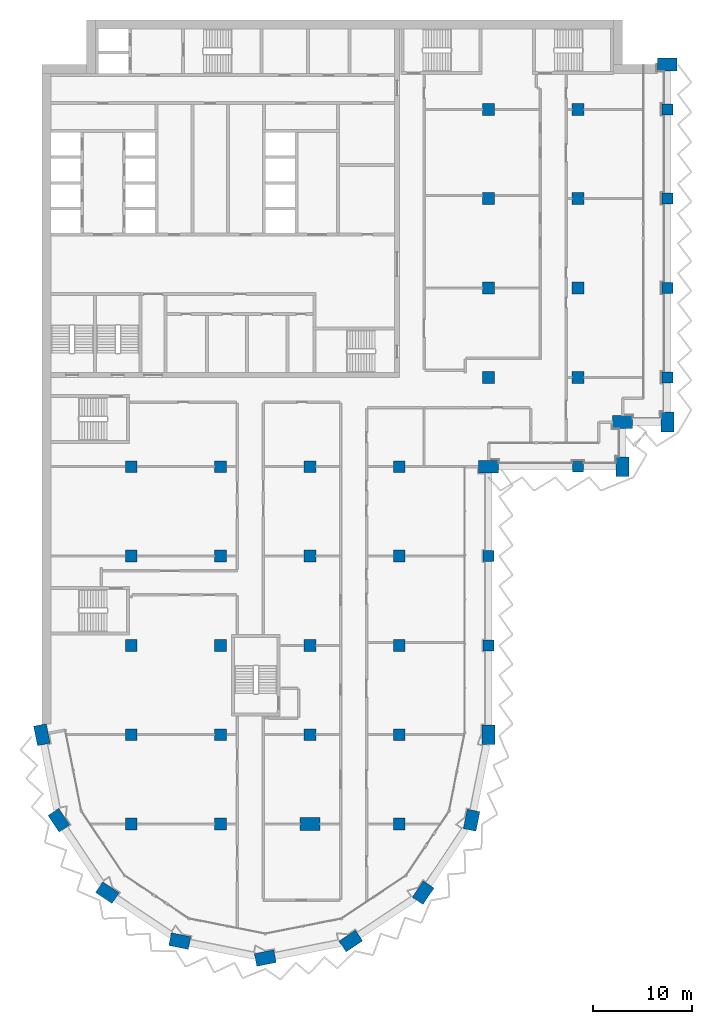
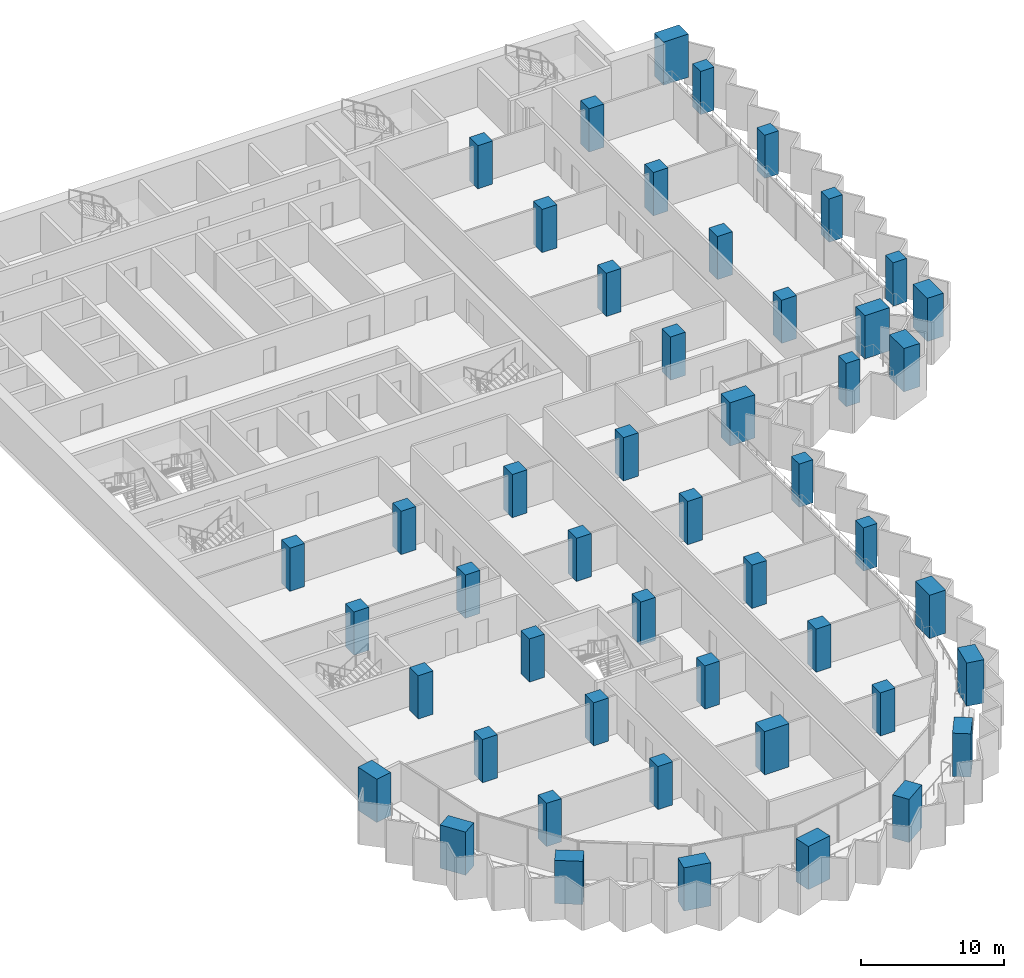
# One storey, part 1 of 23: 49 columns.
"""IFC4 building model written with IfcOpenShell, lengths in metres."""

import ifcopenshell
import ifcopenshell.guid

model = None  # the IFC model being written
_history = None  # IfcOwnerHistory: only IFC2X3 demands one
_inside = {}  # id of a spatial element -> (the spatial element, [elements in it])
_under = {}  # id of a project, library or spatial element -> (it, [spatial elements below it])
_declared = {}  # id of a project -> (the project, [libraries it declares])
_typed = {}  # id of a type object -> (the type object, [elements of that type])
_made_of = {}  # id of a material, layer set ... -> (it, [elements and type objects made of it])


def new_model(schema):
    """Start an empty IFC model of exactly this schema.

    Asked for "IFC4X3", IfcOpenShell would pick the latest addendum, in which some entities
    have other attributes; the version numbers below select the first issue.
    IFC2X3 requires an IfcOwnerHistory on every rooted entity: one is made here for all.
    """
    global model, _history
    if schema == "IFC4X3":
        model = ifcopenshell.file(schema_version=(4, 3, 0, 0))
    else:
        model = ifcopenshell.file(schema=schema)
    _inside.clear()
    _under.clear()
    _declared.clear()
    _typed.clear()
    _made_of.clear()
    _history = None
    if model.schema == "IFC2X3":
        org = make("IfcOrganization", Name="unknown")
        user = make(
            "IfcPersonAndOrganization",
            ThePerson=make("IfcPerson", FamilyName="unknown"),
            TheOrganization=org,
        )
        app = make(
            "IfcApplication",
            ApplicationDeveloper=org,
            Version="unknown",
            ApplicationFullName="unknown",
            ApplicationIdentifier="unknown",
        )
        _history = make(
            "IfcOwnerHistory",
            OwningUser=user,
            OwningApplication=app,
            ChangeAction="ADDED",
            CreationDate=0,
        )
    return model


def make(cls, **values):
    """One entity of the class cls with the attributes given. An attribute that is None is left unset."""
    return model.create_entity(
        cls, **{name: value for name, value in values.items() if value is not None}
    )


def rooted(cls, **values):
    """An entity with a GlobalId (a new one), such as an element, a storey or a relation."""
    return make(cls, GlobalId=ifcopenshell.guid.new(), OwnerHistory=_history, **values)


def si_unit(unit_type, name, prefix=None):
    """IfcSIUnit, for example si_unit("LENGTHUNIT", "METRE", prefix="MILLI")."""
    return make("IfcSIUnit", UnitType=unit_type, Prefix=prefix, Name=name)


def assignment(units):
    """IfcUnitAssignment: the units of a project."""
    return None if units is None else make("IfcUnitAssignment", Units=units)


def point(xyz):
    """IfcCartesianPoint."""
    return None if xyz is None else make("IfcCartesianPoint", Coordinates=xyz)


def direction(xyz):
    """IfcDirection."""
    return None if xyz is None else make("IfcDirection", DirectionRatios=xyz)


def frame(location, z_axis=None, x_axis=None):
    """IfcAxis2Placement3D, a coordinate frame: its origin and axes. An axis left out is left unset."""
    return make(
        "IfcAxis2Placement3D",
        Location=point(location),
        Axis=direction(z_axis),
        RefDirection=direction(x_axis),
    )


def frame_2d(location, x_axis=None):
    """IfcAxis2Placement2D, a coordinate frame in the plane: its origin and x axis."""
    return make(
        "IfcAxis2Placement2D", Location=point(location), RefDirection=direction(x_axis)
    )


def origin():
    """The frame at (0, 0, 0) with its axes left unset."""
    return frame((0.0, 0.0, 0.0))


def origin_2d():
    """The frame at (0, 0) in the plane with its x axis left unset."""
    return frame_2d((0.0, 0.0))


def place(relative_to, where):
    """IfcLocalPlacement: puts the frame where relative to a parent placement (None: the world)."""
    return make(
        "IfcLocalPlacement", PlacementRelTo=relative_to, RelativePlacement=where
    )


def context(
    kind, dimensions, precision=None, world=None, true_north=None, identifier=None
):
    """IfcGeometricRepresentationContext, for example the 3D "Model" context."""
    return make(
        "IfcGeometricRepresentationContext",
        ContextIdentifier=identifier,
        ContextType=kind,
        CoordinateSpaceDimension=dimensions,
        Precision=precision,
        WorldCoordinateSystem=world,
        TrueNorth=true_north,
    )


def subcontext(parent, identifier, kind, view, scale=None):
    """IfcGeometricRepresentationSubContext, for example "Body" below "Model"."""
    return make(
        "IfcGeometricRepresentationSubContext",
        ContextIdentifier=identifier,
        ContextType=kind,
        ParentContext=parent,
        TargetScale=scale,
        TargetView=view,
    )


def project(units=None, contexts=None):
    """IfcProject with its units and contexts."""
    return rooted(
        "IfcProject",
        Name="project",
        RepresentationContexts=contexts,
        UnitsInContext=assignment(units),
    )


def spatial(cls, under=None, at=None, **own):
    """A site, building, storey or space (cls), placed at a placement, below another one or the project."""
    s = rooted(cls, ObjectPlacement=at, **own)
    if under is not None:
        _under.setdefault(under.id(), (under, []))[1].append(s)
    return s


def profile(cls, at=None, kind="AREA", **sizes):
    """A parametric profile (cls). Its sizes go by their IFC names, for example OverallWidth=200.0."""
    return make(cls, ProfileType=kind, Position=at, **sizes)


def rectangle(**sizes):
    """IfcRectangleProfileDef."""
    return profile("IfcRectangleProfileDef", **sizes)


def extrude(swept, where, along, depth):
    """IfcExtrudedAreaSolid: the profile swept, set in the frame where, extruded along a direction by depth."""
    return make(
        "IfcExtrudedAreaSolid",
        SweptArea=swept,
        Position=where,
        ExtrudedDirection=direction(along),
        Depth=depth,
    )


def shape(context_of_items, identifier, shape_type, items):
    """IfcShapeRepresentation: the items that make up one representation, for example the "Body"."""
    return make(
        "IfcShapeRepresentation",
        ContextOfItems=context_of_items,
        RepresentationIdentifier=identifier,
        RepresentationType=shape_type,
        Items=items,
    )


def material(Name=None, Category=None):
    """IfcMaterial."""
    return make("IfcMaterial", Name=Name, Category=Category)


def material_profile(
    of_material, cross_section, Name=None, Category=None, Priority=None
):
    """IfcMaterialProfile: a cross section and its material."""
    return make(
        "IfcMaterialProfile",
        Name=Name,
        Material=of_material,
        Profile=cross_section,
        Priority=Priority,
        Category=Category,
    )


def profile_set(profiles, Name=None, composite=None):
    """IfcMaterialProfileSet."""
    return make(
        "IfcMaterialProfileSet",
        Name=Name,
        MaterialProfiles=profiles,
        CompositeProfile=composite,
    )


def made_of(thing, what):
    """Note that an element or type object is made of a material, layer set ...; save() writes the relation."""
    if what is not None:
        _made_of.setdefault(what.id(), (what, []))[1].append(thing)
    return thing


def type_object(cls, material=None, **own):
    """A type object (cls), such as IfcWallType, which elements share."""
    return made_of(rooted(cls, **own), material)


def element(
    cls,
    number,
    at=None,
    inside=None,
    cuts=None,
    type_object=None,
    material=None,
    context=None,
    identifier="Body",
    shape_type=None,
    held_by="IfcProductDefinitionShape",
    body=None,
    shapes=None,
    **own,
):
    """One element of the class cls, such as IfcWall. Its Tag is "e" and its number.

    at: its placement. inside: the storey or other place that contains it. cuts: it is an
    opening in that element (IfcRelVoidsElement). A single representation is given by context,
    identifier, shape_type and body (its items); several are given by shapes. held_by: the class
    of the entity that holds the representations. save() writes the other relations.
    """
    e = rooted(cls, Tag="e%d" % number, ObjectPlacement=at, **own)
    if body is not None:
        shapes = [shape(context, identifier, shape_type, body)]
    if shapes is not None:
        e.Representation = make(held_by, Representations=shapes)
    if inside is not None:
        _inside.setdefault(inside.id(), (inside, []))[1].append(e)
    if cuts is not None:
        rooted(
            "IfcRelVoidsElement", RelatingBuildingElement=cuts, RelatedOpeningElement=e
        )
    if type_object is not None:
        _typed.setdefault(type_object.id(), (type_object, []))[1].append(e)
    return made_of(e, material)


def aggregate(whole, parts):
    """IfcRelAggregates: a whole, such as a stair, and the parts it consists of."""
    return rooted("IfcRelAggregates", RelatingObject=whole, RelatedObjects=parts)


def save(model, path):
    """Write the relations noted so far, then the file.

    IfcRelAggregates (storeys below a building ...), IfcRelContainedInSpatialStructure (elements
    in a storey), IfcRelDefinesByType, IfcRelAssociatesMaterial and IfcRelDeclares: one each for
    every whole, place, type object, material and project.
    """
    for whole, parts in _under.values():
        aggregate(whole, parts)
    for where, things in _inside.values():
        rooted(
            "IfcRelContainedInSpatialStructure",
            RelatedElements=things,
            RelatingStructure=where,
        )
    for kind, things in _typed.values():
        rooted("IfcRelDefinesByType", RelatedObjects=things, RelatingType=kind)
    for what, things in _made_of.values():
        rooted("IfcRelAssociatesMaterial", RelatedObjects=things, RelatingMaterial=what)
    for by, libraries in _declared.values():
        rooted("IfcRelDeclares", RelatingContext=by, RelatedDefinitions=libraries)
    model.write(path)


model = new_model("IFC4")

# Units and contexts
model_context = context("Model", 3, precision=1e-05, world=origin(), true_north=direction((0.0, 1.0)))
body_context = subcontext(model_context, "Body", "Model", "MODEL_VIEW")
ifc_project = project(units=[si_unit("LENGTHUNIT", "METRE"), si_unit("AREAUNIT", "SQUARE_METRE"), si_unit("VOLUMEUNIT", "CUBIC_METRE"), si_unit("PLANEANGLEUNIT", "RADIAN"), si_unit("MASSUNIT", "GRAM", prefix="KILO")], contexts=[model_context])

# Site, building, storey
site_placement = place(None, origin())
site = spatial("IfcSite", under=ifc_project, at=site_placement, CompositionType="ELEMENT")
building_placement = place(site_placement, origin())
building = spatial("IfcBuilding", under=site, at=building_placement, Name="Hunhe Ridgeline Campus", CompositionType="ELEMENT")
storey_placement = place(building_placement, frame((0.0, 0.0, 148.60009765625)))
storey = spatial("IfcBuildingStorey", under=building, at=storey_placement, Name="L37", CompositionType="ELEMENT", Elevation=148.60009765625)

# Columns
ifc_material = material(Name="Concrete C70", Category="concrete")
ifc_material_profile_1 = material_profile(ifc_material, rectangle(XDim=2.0, YDim=1.300048828125, at=origin_2d()))
ifc_profile_set_1 = profile_set([ifc_material_profile_1], Name="Concrete C70")
column_type_1 = type_object("IfcColumnType", Name="Megacolumn 2000x1300 Concrete C70", PredefinedType="COLUMN", material=ifc_profile_set_1)
for number, where, z_axis, x_axis, name in (
    (1, (22.5, 4.5, 0.0), (0.0, 0.0, 1.0), (0.980785280403, 0.195090322016, 0.0), "Column C9 R1 L37"),
    (2, (13.8896484375, 6.212646484375, 0.0), (0.0, 0.0, 1.0), (-0.980785280403, 0.195090322016, 0.0), "Column C9 R2 L37"),
    (3, (31.1103515625, 6.212646484375, 0.0), (0.0, 0.0, 1.0), (0.831469612303, 0.55557023302, 0.0), "Column C9 R3 L37"),
    (4, (6.590087890625, 11.090087890625, 0.0), (0.0, 0.0, 1.0), (-0.831469612303, 0.55557023302, 0.0), "Column C9 R4 L37"),
    (5, (38.409912109375, 11.090087890625, 0.0), (0.0, 0.0, 1.0), (0.55557023302, 0.831469612303, 0.0), "Column C9 R5 L37"),
    (6, (1.712646484375, 18.3896484375, 0.0), (0.0, 0.0, 1.0), (-0.55557023302, 0.831469612303, 0.0), "Column C9 R9 L37"),
    (7, (43.287353515625, 18.3896484375, 0.0), (0.0, 0.0, 1.0), (0.195090322016, 0.980785280403, 0.0), "Column C9 R10 L37"),
    (8, (0.0, 27.0, 0.0), (0.0, 0.0, 1.0), (-0.195090322016, 0.980785280403, 0.0), "Column C9 D1 L37"),
    (9, (45.0, 27.0, 0.0), (0.0, 0.0, 1.0), (0.0, 1.0, 0.0), "Column C9 D6 L37"),
    (10, (45.0, 54.0, 0.0), (0.0, 0.0, 1.0), (1.0, 0.0, 0.0), "Column C9 G6 L37"),
    (11, (58.5, 54.0, 0.0), (0.0, 0.0, 1.0), (0.0, 1.0, 0.0), "Column C9 R30 L37"),
    (12, (58.5, 58.5, 0.0), (0.0, 0.0, 1.0), (1.0, 0.0, 0.0), "Column C9 R35 L37"),
    (13, (63.0, 58.5, 0.0), (0.0, 0.0, 1.0), (0.0, 1.0, 0.0), "Column C9 R36 L37"),
    (14, (63.0, 94.5, 0.0), (0.0, 0.0, 1.0), (1.0, 0.0, 0.0), "Column C9 R42 L37"),
    (15, (27.0, 18.0, 0.0), (0.0, 0.0, 1.0), (1.0, 0.0, 0.0), "Column C9 C4 L37"),
):
    element("IfcColumn", number, at=place(storey_placement, frame(where, z_axis=z_axis, x_axis=x_axis)), inside=storey, type_object=column_type_1, Name=name, PredefinedType="COLUMN", context=body_context, shape_type="SweptSolid", body=[
        extrude(rectangle(XDim=2.0, YDim=1.300048828125, at=origin_2d()), origin(), (0.0, 0.0, 1.0), 3.699951171875),
    ])
ifc_material_profile_2 = material_profile(ifc_material, rectangle(XDim=1.10009765625, YDim=1.10009765625, at=origin_2d()))
ifc_profile_set_2 = profile_set([ifc_material_profile_2], Name="Concrete C70")
column_type_2 = type_object("IfcColumnType", Name="RC column 1100x1100 Concrete C70", PredefinedType="COLUMN", material=ifc_profile_set_2)
for number, where, z_axis, x_axis, name in (
    (16, (45.0, 36.0, 0.0), (0.0, 0.0, 1.0), (1.0, 0.0, 0.0), "Column C10 E6 L37"),
    (17, (45.0, 45.0, 0.0), (0.0, 0.0, 1.0), (1.0, 0.0, 0.0), "Column C10 F6 L37"),
    (18, (54.0, 54.0, 0.0), (0.0, 0.0, 1.0), (1.0, 0.0, 0.0), "Column C10 G7 L37"),
    (19, (63.0, 63.0, 0.0), (0.0, 0.0, 1.0), (1.0, 0.0, 0.0), "Column C10 H8 L37"),
    (20, (63.0, 72.0, 0.0), (0.0, 0.0, 1.0), (1.0, 0.0, 0.0), "Column C10 I8 L37"),
    (21, (63.0, 81.0, 0.0), (0.0, 0.0, 1.0), (1.0, 0.0, 0.0), "Column C10 J8 L37"),
    (22, (63.0, 90.0, 0.0), (0.0, 0.0, 1.0), (1.0, 0.0, 0.0), "Column C10 K8 L37"),
):
    element("IfcColumn", number, at=place(storey_placement, frame(where, z_axis=z_axis, x_axis=x_axis)), inside=storey, type_object=column_type_2, Name=name, PredefinedType="COLUMN", context=body_context, shape_type="SweptSolid", body=[
        extrude(rectangle(XDim=1.10009765625, YDim=1.10009765625, at=origin_2d()), origin(), (0.0, 0.0, 1.0), 3.699951171875),
    ])
ifc_material_profile_3 = material_profile(ifc_material, rectangle(XDim=1.199951171875, YDim=1.199951171875, at=origin_2d()))
ifc_profile_set_3 = profile_set([ifc_material_profile_3], Name="Concrete C70")
column_type_3 = type_object("IfcColumnType", Name="RC column 1200x1200 Concrete C70", PredefinedType="COLUMN", material=ifc_profile_set_3)
for number, where, z_axis, x_axis, name in (
    (23, (9.0, 18.0, 0.0), (0.0, 0.0, 1.0), (1.0, 0.0, 0.0), "Column C7 C2 L37"),
    (24, (9.0, 27.0, 0.0), (0.0, 0.0, 1.0), (1.0, 0.0, 0.0), "Column C7 D2 L37"),
    (25, (9.0, 36.0, 0.0), (0.0, 0.0, 1.0), (1.0, 0.0, 0.0), "Column C7 E2 L37"),
    (26, (9.0, 45.0, 0.0), (0.0, 0.0, 1.0), (1.0, 0.0, 0.0), "Column C7 F2 L37"),
    (27, (9.0, 54.0, 0.0), (0.0, 0.0, 1.0), (1.0, 0.0, 0.0), "Column C7 G2 L37"),
    (28, (18.0, 18.0, 0.0), (0.0, 0.0, 1.0), (1.0, 0.0, 0.0), "Column C7 C3 L37"),
    (29, (18.0, 27.0, 0.0), (0.0, 0.0, 1.0), (1.0, 0.0, 0.0), "Column C7 D3 L37"),
    (30, (18.0, 36.0, 0.0), (0.0, 0.0, 1.0), (1.0, 0.0, 0.0), "Column C7 E3 L37"),
    (31, (18.0, 45.0, 0.0), (0.0, 0.0, 1.0), (1.0, 0.0, 0.0), "Column C7 F3 L37"),
    (32, (18.0, 54.0, 0.0), (0.0, 0.0, 1.0), (1.0, 0.0, 0.0), "Column C7 G3 L37"),
    (33, (27.0, 27.0, 0.0), (0.0, 0.0, 1.0), (1.0, 0.0, 0.0), "Column C7 D4 L37"),
    (34, (27.0, 36.0, 0.0), (0.0, 0.0, 1.0), (1.0, 0.0, 0.0), "Column C7 E4 L37"),
    (35, (27.0, 45.0, 0.0), (0.0, 0.0, 1.0), (1.0, 0.0, 0.0), "Column C7 F4 L37"),
    (36, (27.0, 54.0, 0.0), (0.0, 0.0, 1.0), (1.0, 0.0, 0.0), "Column C7 G4 L37"),
    (37, (36.0, 18.0, 0.0), (0.0, 0.0, 1.0), (1.0, 0.0, 0.0), "Column C7 C5 L37"),
    (38, (36.0, 27.0, 0.0), (0.0, 0.0, 1.0), (1.0, 0.0, 0.0), "Column C7 D5 L37"),
    (39, (36.0, 36.0, 0.0), (0.0, 0.0, 1.0), (1.0, 0.0, 0.0), "Column C7 E5 L37"),
    (40, (36.0, 45.0, 0.0), (0.0, 0.0, 1.0), (1.0, 0.0, 0.0), "Column C7 F5 L37"),
    (41, (36.0, 54.0, 0.0), (0.0, 0.0, 1.0), (1.0, 0.0, 0.0), "Column C7 G5 L37"),
    (42, (45.0, 63.0, 0.0), (0.0, 0.0, 1.0), (1.0, 0.0, 0.0), "Column C7 H6 L37"),
    (43, (45.0, 72.0, 0.0), (0.0, 0.0, 1.0), (1.0, 0.0, 0.0), "Column C7 I6 L37"),
    (44, (45.0, 81.0, 0.0), (0.0, 0.0, 1.0), (1.0, 0.0, 0.0), "Column C7 J6 L37"),
    (45, (45.0, 90.0, 0.0), (0.0, 0.0, 1.0), (1.0, 0.0, 0.0), "Column C7 K6 L37"),
    (46, (54.0, 63.0, 0.0), (0.0, 0.0, 1.0), (1.0, 0.0, 0.0), "Column C7 H7 L37"),
    (47, (54.0, 72.0, 0.0), (0.0, 0.0, 1.0), (1.0, 0.0, 0.0), "Column C7 I7 L37"),
    (48, (54.0, 81.0, 0.0), (0.0, 0.0, 1.0), (1.0, 0.0, 0.0), "Column C7 J7 L37"),
    (49, (54.0, 90.0, 0.0), (0.0, 0.0, 1.0), (1.0, 0.0, 0.0), "Column C7 K7 L37"),
):
    element("IfcColumn", number, at=place(storey_placement, frame(where, z_axis=z_axis, x_axis=x_axis)), inside=storey, type_object=column_type_3, Name=name, PredefinedType="COLUMN", context=body_context, shape_type="SweptSolid", body=[
        extrude(rectangle(XDim=1.199951171875, YDim=1.199951171875, at=origin_2d()), origin(), (0.0, 0.0, 1.0), 3.699951171875),
    ])

save(model, "model.ifc")
